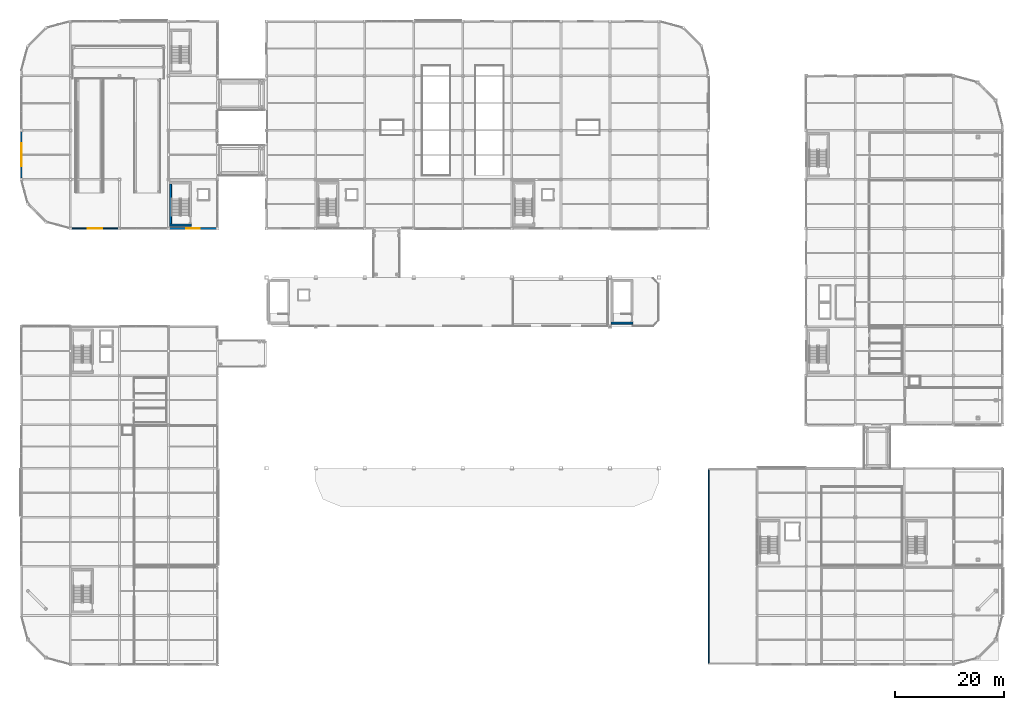
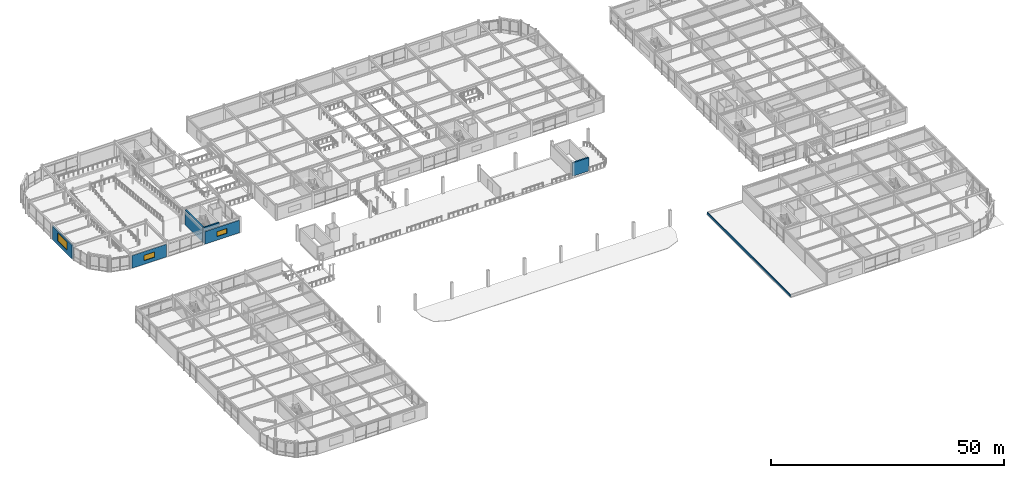
# One storey, part 74 of 105: 7 walls, 3 windows, 3 openings.
"""IFC4 building model written with IfcOpenShell, lengths in metres."""

from ifc_helpers import new_model, si_unit, direction, frame, frame_2d, origin, place, context, subcontext, project, spatial, rectangle, extrude, material, layer, layer_set, type_object, element, fill, save


model = new_model("IFC4")

# Units and contexts
model_context = context("Model", 3, precision=1e-05, world=origin(), true_north=direction((0.0, 1.0)))
body_context = subcontext(model_context, "Body", "Model", "MODEL_VIEW")
ifc_project = project(units=[si_unit("LENGTHUNIT", "METRE"), si_unit("AREAUNIT", "SQUARE_METRE"), si_unit("VOLUMEUNIT", "CUBIC_METRE"), si_unit("PLANEANGLEUNIT", "RADIAN"), si_unit("MASSUNIT", "GRAM", prefix="KILO")], contexts=[model_context])

# Site, building, storey
site_placement = place(None, origin())
site = spatial("IfcSite", under=ifc_project, at=site_placement, CompositionType="ELEMENT")
building_placement = place(site_placement, origin())
building = spatial("IfcBuilding", under=site, at=building_placement, Name="Suzunagisa Mobility Hub", CompositionType="ELEMENT")
storey_placement = place(building_placement, frame((0.0, 0.0, 5.10009765625)))
storey = spatial("IfcBuildingStorey", under=building, at=storey_placement, Name="L01", CompositionType="ELEMENT", Elevation=5.10009765625)

# Wall, opening, window
ifc_material_1 = material(Name="Lightweight Insulated Autoclaved Concrete C30/37 Wall", Category="concrete")
ifc_layer_1 = layer(ifc_material_1, 0.239990234375)
ifc_layer_set_1 = layer_set([ifc_layer_1], Name="Lightweight Insulated Autoclaved Concrete C30/37 Wall")
wall_type_1 = type_object("IfcWallType", Name="Exterior Wall EW-04 240mm", PredefinedType="SOLIDWALL", material=ifc_layer_set_1)
wall_1_placement = place(storey_placement, frame((9.22509765625, 80.0, 0.0), z_axis=(0.0, 0.0, 1.0), x_axis=(1.0, 0.0, 0.0)))
wall_1 = element("IfcWall", 1, at=wall_1_placement, inside=storey, type_object=wall_type_1, Name="L01 Exterior Facade Wall EW-107", PredefinedType="SOLIDWALL", context=body_context, shape_type="SweptSolid", body=[
    extrude(rectangle(XDim=8.5498046875, YDim=0.239990234375, at=frame_2d((4.27490234375, 0.0))), origin(), (0.0, 0.0, 1.0), 3.289794921875),
])
opening_1_placement = place(wall_1_placement, frame((2.925048828125, 0.0, 0.949951171875)))
opening_1 = element("IfcOpeningElement", 2, at=opening_1_placement, cuts=wall_1, Name="Opening WN-20", PredefinedType="OPENING", context=body_context, shape_type="SweptSolid", body=[
    extrude(rectangle(XDim=2.699951171875, YDim=1.39990234375, at=frame_2d((1.35009765625, 0.699951171875))), frame((0.0, 0.130859375, 0.0), z_axis=(0.0, -1.0, 0.0), x_axis=(1.0, 0.0, 0.0)), (0.0, 0.0, 1.0), 0.261962890625),
])
ifc_material_2 = material(Name="Thermally Broken Anodized Aluminum and Low-E Double Glazing", Category="aluminium")
window_type_1 = type_object("IfcWindowType", Name="Aluminum Window WN-20 2700x1400", PartitioningType="SINGLE_PANEL", PredefinedType="WINDOW", material=ifc_material_2)
window_1_placement = place(opening_1_placement, origin())
window_1 = element("IfcWindow", 3, at=window_1_placement, inside=storey, type_object=window_type_1, Name="L01 Scheduled Facade Window WN-30", OverallHeight=1.39990234375, OverallWidth=2.699951171875, PartitioningType="SINGLE_PANEL", PredefinedType="WINDOW", context=body_context, shape_type="SweptSolid", body=[
    extrude(rectangle(XDim=2.699951171875, YDim=1.39990234375, at=frame_2d((1.35009765625, 0.699951171875))), frame((0.0, 0.030029296875, 0.0), z_axis=(0.0, -1.0, 0.0), x_axis=(1.0, 0.0, 0.0)), (0.0, 0.0, 1.0), 0.06005859375),
])
fill(opening_1, window_1)

# Wall
ifc_material_3 = material(Name="Concrete C30/37", Category="concrete")
ifc_layer_2 = layer(ifc_material_3, 0.219970703125)
ifc_layer_set_2 = layer_set([ifc_layer_2], Name="Concrete C30/37")
wall_type_2 = type_object("IfcWallType", Name="Exterior Wall EW-05 220mm", PredefinedType="PARAPET", material=ifc_layer_set_2)
wall_2_placement = place(storey_placement, frame((126.139892578125, 0.139892578125, 0.0), z_axis=(0.0, 0.0, 1.0), x_axis=(0.0, 1.0, 0.0)))
element("IfcWall", 4, at=wall_2_placement, inside=storey, type_object=wall_type_2, Name="L01 Roof Setback Parapet PR-468", PredefinedType="PARAPET", context=body_context, shape_type="SweptSolid", body=[
    extrude(rectangle(XDim=35.72021484375, YDim=0.219970703125, at=frame_2d((17.860107421875, 0.0))), origin(), (0.0, 0.0, 1.0), 0.52001953125),
])

# Wall, opening, window
ifc_material_4 = material(Name="Insulated Precast Concrete C35/45 Panel", Category="concrete")
ifc_layer_3 = layer(ifc_material_4, 0.300048828125)
ifc_layer_set_3 = layer_set([ifc_layer_3], Name="Insulated Precast Concrete C35/45 Panel")
wall_type_3 = type_object("IfcWallType", Name="Exterior Wall EW-09 300mm", PredefinedType="SOLIDWALL", material=ifc_layer_set_3)
wall_3_placement = place(storey_placement, frame((27.22509765625, 80.0, 0.0), z_axis=(0.0, 0.0, 1.0), x_axis=(1.0, 0.0, 0.0)))
wall_3 = element("IfcWall", 5, at=wall_3_placement, inside=storey, type_object=wall_type_3, Name="L01 Exterior Facade Wall EW-108", PredefinedType="SOLIDWALL", context=body_context, shape_type="SweptSolid", body=[
    extrude(rectangle(XDim=8.5498046875, YDim=0.300048828125, at=frame_2d((4.27490234375, 0.0))), origin(), (0.0, 0.0, 1.0), 3.289794921875),
])
opening_2_placement = place(wall_3_placement, frame((3.074951171875, 0.0, 0.949951171875)))
opening_2 = element("IfcOpeningElement", 6, at=opening_2_placement, cuts=wall_3, Name="Opening WN-30", PredefinedType="OPENING", context=body_context, shape_type="SweptSolid", body=[
    extrude(rectangle(XDim=2.39990234375, YDim=1.300048828125, at=frame_2d((1.199951171875, 0.64990234375))), frame((0.0, 0.1611328125, 0.0), z_axis=(0.0, -1.0, 0.0), x_axis=(1.0, 0.0, 0.0)), (0.0, 0.0, 1.0), 0.322021484375),
])
window_type_2 = type_object("IfcWindowType", Name="Aluminum Window WN-30 2400x1300", PartitioningType="SINGLE_PANEL", PredefinedType="WINDOW", material=ifc_material_2)
window_2_placement = place(opening_2_placement, origin())
window_2 = element("IfcWindow", 7, at=window_2_placement, inside=storey, type_object=window_type_2, Name="L01 Scheduled Facade Window WN-31", OverallHeight=1.300048828125, OverallWidth=2.39990234375, PartitioningType="SINGLE_PANEL", PredefinedType="WINDOW", context=body_context, shape_type="SweptSolid", body=[
    extrude(rectangle(XDim=2.39990234375, YDim=1.300048828125, at=frame_2d((1.199951171875, 0.64990234375))), frame((0.0, 0.030029296875, 0.0), z_axis=(0.0, -1.0, 0.0), x_axis=(1.0, 0.0, 0.0)), (0.0, 0.0, 1.0), 0.06005859375),
])
fill(opening_2, window_2)

wall_4_placement = place(storey_placement, frame((0.0, 97.77490234375, 0.0), z_axis=(0.0, 0.0, 1.0), x_axis=(0.0, -1.0, 0.0)))
wall_4 = element("IfcWall", 8, at=wall_4_placement, inside=storey, type_object=wall_type_3, Name="L01 Exterior Facade Wall EW-112", PredefinedType="SOLIDWALL", context=body_context, shape_type="SweptSolid", body=[
    extrude(rectangle(XDim=8.5498046875, YDim=0.300048828125, at=frame_2d((4.27490234375, 0.0))), origin(), (0.0, 0.0, 1.0), 3.5498046875),
])
opening_3_placement = place(wall_4_placement, frame((2.175048828125, 0.0, 0.949951171875)))
opening_3 = element("IfcOpeningElement", 9, at=opening_3_placement, cuts=wall_4, Name="Opening WN-16", PredefinedType="OPENING", context=body_context, shape_type="SweptSolid", body=[
    extrude(rectangle(XDim=4.199951171875, YDim=2.10009765625, at=frame_2d((2.10009765625, 1.050048828125))), frame((0.0, 0.1611328125, 0.0), z_axis=(0.0, -1.0, 0.0), x_axis=(1.0, 0.0, 0.0)), (0.0, 0.0, 1.0), 0.322021484375),
])
window_type_3 = type_object("IfcWindowType", Name="Aluminum Window WN-16 4200x2100", PartitioningType="SINGLE_PANEL", PredefinedType="WINDOW", material=ifc_material_2)
window_3_placement = place(opening_3_placement, origin())
window_3 = element("IfcWindow", 10, at=window_3_placement, inside=storey, type_object=window_type_3, Name="L01 Scheduled Facade Window WN-33", OverallHeight=2.10009765625, OverallWidth=4.199951171875, PartitioningType="SINGLE_PANEL", PredefinedType="WINDOW", context=body_context, shape_type="SweptSolid", body=[
    extrude(rectangle(XDim=4.199951171875, YDim=2.10009765625, at=frame_2d((2.10009765625, 1.050048828125))), frame((0.0, 0.030029296875, 0.0), z_axis=(0.0, -1.0, 0.0), x_axis=(1.0, 0.0, 0.0)), (0.0, 0.0, 1.0), 0.06005859375),
])
fill(opening_3, window_3)

# Walls
ifc_material_5 = material(Name="Concrete C35/45", Category="concrete")
ifc_layer_4 = layer(ifc_material_5, 0.35009765625)
ifc_layer_set_4 = layer_set([ifc_layer_4], Name="Concrete C35/45")
wall_type_4 = type_object("IfcWallType", Name="Interior Wall IW-04 350mm", PredefinedType="SHEAR", material=ifc_layer_set_4)
wall_5_placement = place(storey_placement, frame((108.2099609375, 62.625, 0.0), z_axis=(0.0, 0.0, 1.0), x_axis=(1.0, 0.0, 0.0)))
element("IfcWall", 11, at=wall_5_placement, inside=storey, type_object=wall_type_4, Name="L01 Core C2B Shear Wall SW-105", PredefinedType="SHEAR", context=body_context, shape_type="SweptSolid", body=[
    extrude(rectangle(XDim=3.97998046875, YDim=0.35009765625, at=frame_2d((1.989990234375, 0.0))), origin(), (0.0, 0.0, 1.0), 3.47998046875),
])
wall_6_placement = place(storey_placement, frame((27.2099609375, 80.625, 0.0), z_axis=(0.0, 0.0, 1.0), x_axis=(1.0, 0.0, 0.0)))
element("IfcWall", 12, at=wall_6_placement, inside=storey, type_object=wall_type_4, Name="L01 Core C6 Shear Wall SW-125", PredefinedType="SHEAR", context=body_context, shape_type="SweptSolid", body=[
    extrude(rectangle(XDim=3.97998046875, YDim=0.35009765625, at=frame_2d((1.989990234375, 0.0))), origin(), (0.0, 0.0, 1.0), 3.93994140625),
])
wall_7_placement = place(storey_placement, frame((27.385009765625, 80.800048828125, 0.0), z_axis=(0.0, 0.0, 1.0), x_axis=(0.0, 1.0, 0.0)))
element("IfcWall", 13, at=wall_7_placement, inside=storey, type_object=wall_type_4, Name="L01 Core C6 Shear Wall SW-127", PredefinedType="SHEAR", context=body_context, shape_type="SweptSolid", body=[
    extrude(rectangle(XDim=7.39990234375, YDim=0.35009765625, at=frame_2d((3.699951171875, 0.0))), origin(), (0.0, 0.0, 1.0), 3.93994140625),
])

save(model, "model.ifc")
